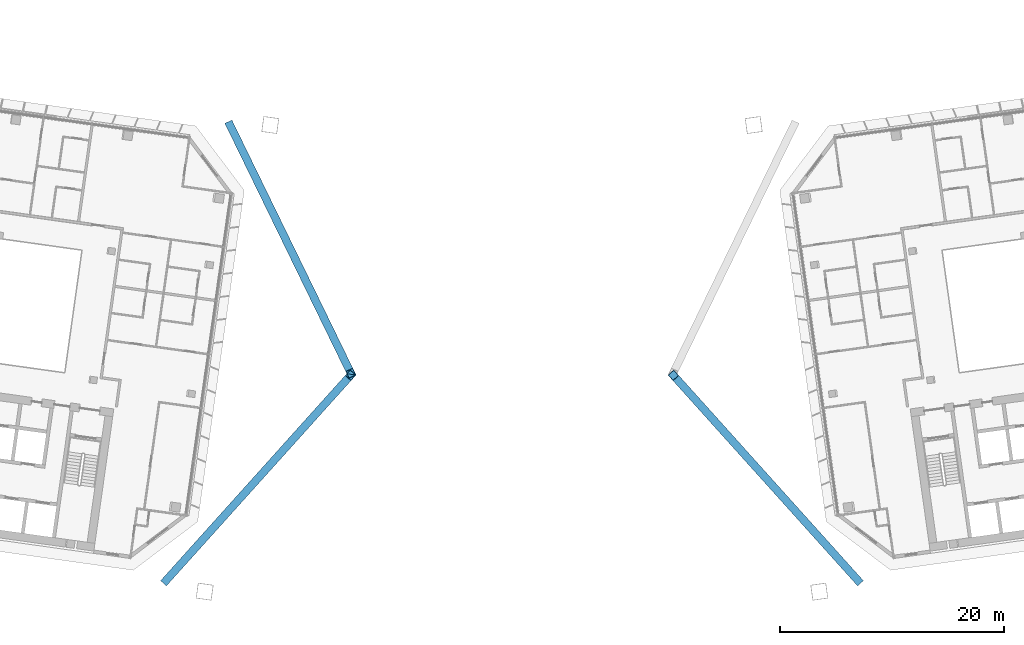
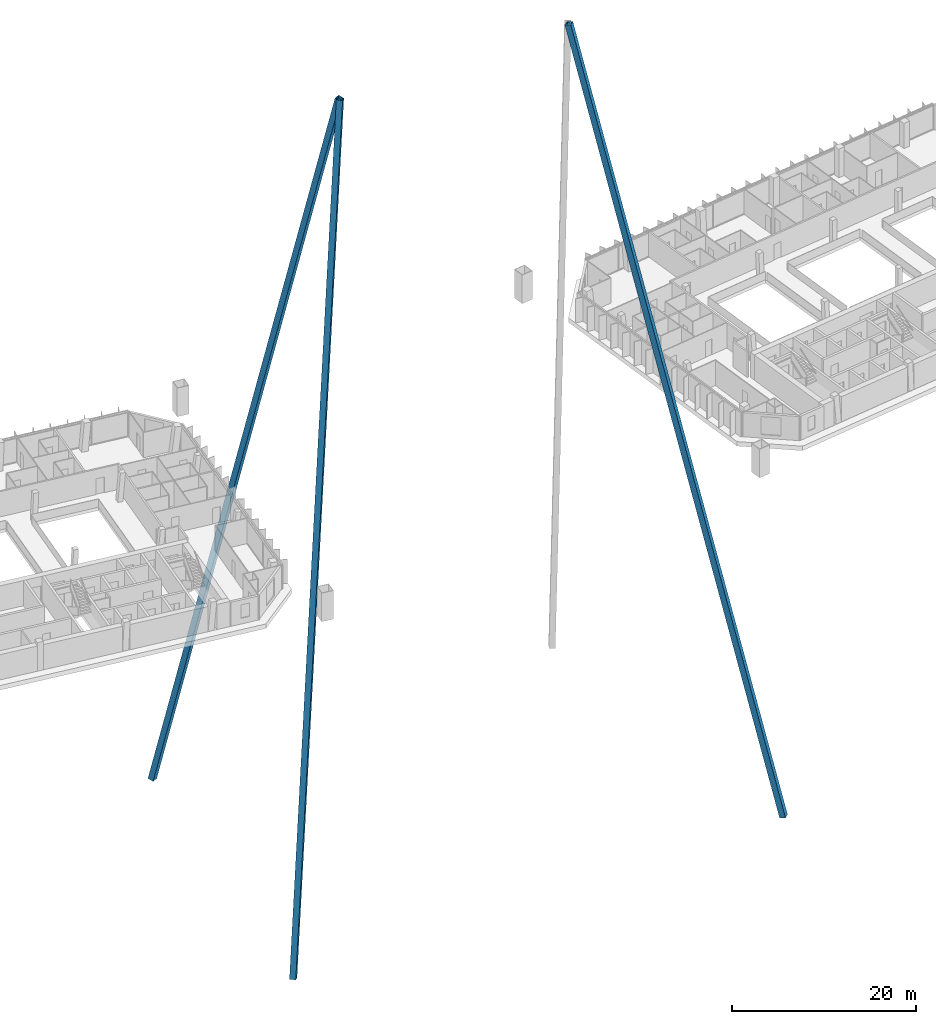
# One storey, part 7 of 26: 3 members.
"""IFC4 building model written with IfcOpenShell, lengths in metres."""

from ifc_helpers import new_model, si_unit, direction, frame, origin, origin_2d, place, context, subcontext, project, spatial, hollow_rectangle, extrude, material, material_profile, profile_set, type_object, element, save


model = new_model("IFC4")

# Units and contexts
model_context = context("Model", 3, precision=1e-05, world=origin(), true_north=direction((0.0, 1.0)))
body_context = subcontext(model_context, "Body", "Model", "MODEL_VIEW")
ifc_project = project(units=[si_unit("LENGTHUNIT", "METRE"), si_unit("AREAUNIT", "SQUARE_METRE"), si_unit("VOLUMEUNIT", "CUBIC_METRE"), si_unit("PLANEANGLEUNIT", "RADIAN"), si_unit("MASSUNIT", "GRAM", prefix="KILO")], contexts=[model_context])

# Site, building, storey
site_placement = place(None, origin())
site = spatial("IfcSite", under=ifc_project, at=site_placement, CompositionType="ELEMENT")
building_placement = place(site_placement, origin())
building = spatial("IfcBuilding", under=site, at=building_placement, Name="Mirante Cascada Hotel Towers", CompositionType="ELEMENT")
storey_placement = place(building_placement, frame((0.0, 0.0, 203.0)))
storey = spatial("IfcBuildingStorey", under=building, at=storey_placement, Name="L48", CompositionType="ELEMENT", Elevation=203.0)

# Members
ifc_material = material(Name="Steel ASTM A572 Gr 50", Category="steel")
ifc_material_profile = material_profile(ifc_material, hollow_rectangle(XDim=0.7, YDim=0.7, WallThickness=0.035, at=origin_2d()), Name="Box brace 700x700x35 ASTM A572 Gr 50")
ifc_profile_set = profile_set([ifc_material_profile], Name="Steel ASTM A572 Gr 50")
member_type = type_object("IfcMemberType", Name="Box brace 700x700x35 ASTM A572 Gr 50", PredefinedType="BRACE", material=ifc_profile_set)
for number, where, z_axis, x_axis, name in (
    (1, (-30.8361, -22.5768, -47.4676), (0.1595824, 0.1774101, 0.9711123), (-0.7434749, 0.6687639, 0.0), "brace T1 L48 1"),
    (2, (-25.132, 18.0102, -47.4676), (0.1044993, -0.2145247, 0.9711123), (0.8990108, 0.4379264, 0.0), "brace T1 L48 2"),
    (3, (30.8361, -22.5768, -47.4676), (-0.1595824, 0.1774101, 0.9711123), (-0.7434749, -0.6687639, 0.0), "brace T2 L48 1"),
):
    element("IfcMember", number, at=place(storey_placement, frame(where, z_axis=z_axis, x_axis=x_axis)), inside=storey, type_object=member_type, Name=name, PredefinedType="BRACE", context=body_context, shape_type="SweptSolid", body=[
        extrude(hollow_rectangle(XDim=0.7, YDim=0.7, WallThickness=0.035, at=origin_2d()), origin(), (0.0, 0.0, 1.0), 103.0753),
    ])

save(model, "model.ifc")
